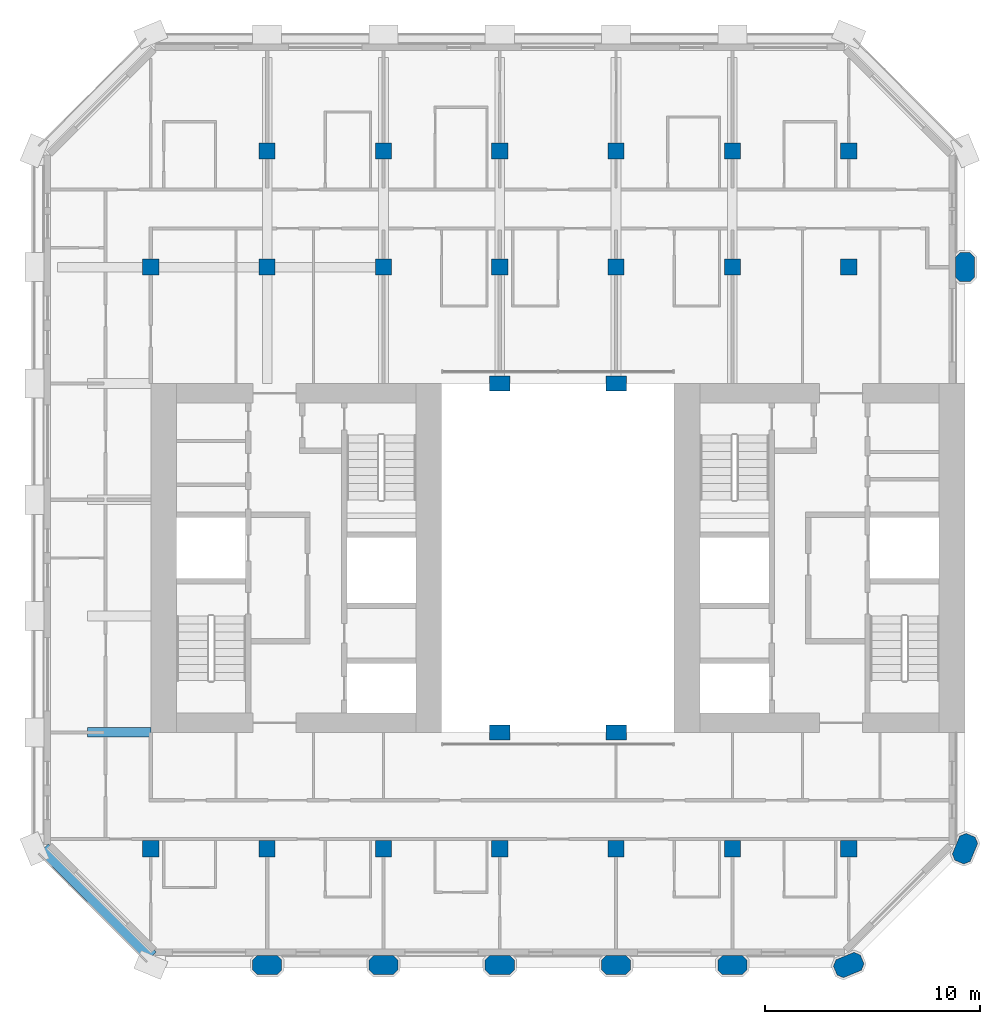
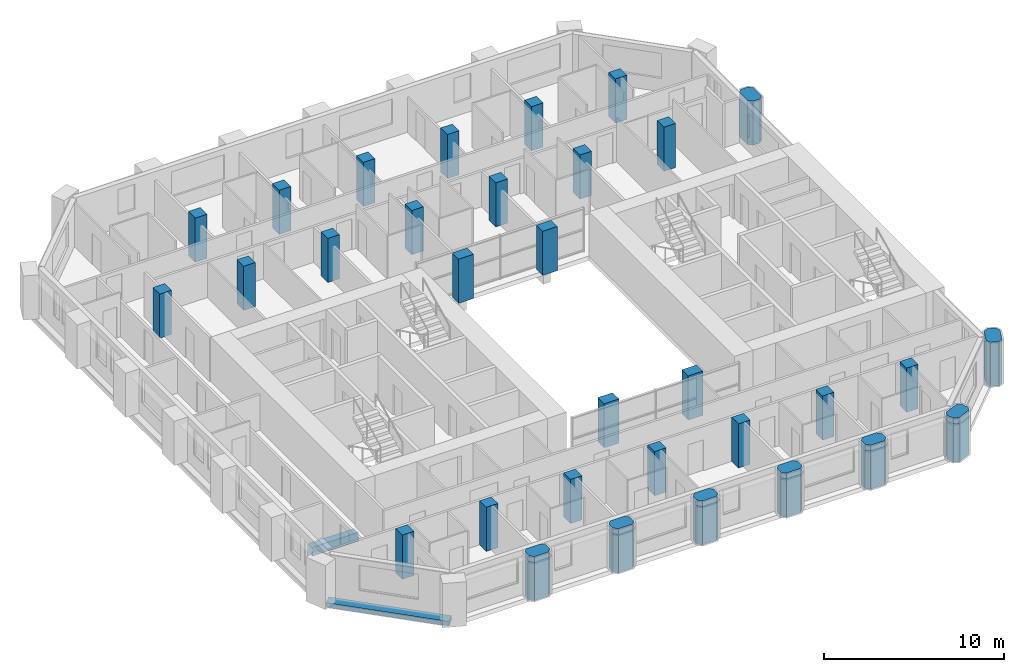
# One storey, part 1 of 13: 32 columns, 2 beams.
"""IFC4 building model written with IfcOpenShell, lengths in metres."""

from ifc_helpers import new_model, si_unit, direction, frame, origin, origin_2d, place, context, subcontext, project, spatial, polyline, rectangle, outline, extrude, material, material_profile, profile_set, type_object, element, save


model = new_model("IFC4")

# Units and contexts
model_context = context("Model", 3, precision=1e-05, world=origin(), true_north=direction((0.0, 1.0)))
body_context = subcontext(model_context, "Body", "Model", "MODEL_VIEW")
ifc_project = project(units=[si_unit("LENGTHUNIT", "METRE"), si_unit("AREAUNIT", "SQUARE_METRE"), si_unit("VOLUMEUNIT", "CUBIC_METRE"), si_unit("PLANEANGLEUNIT", "RADIAN"), si_unit("MASSUNIT", "GRAM", prefix="KILO")], contexts=[model_context])

# Site, building, storey
site_placement = place(None, origin())
site = spatial("IfcSite", under=ifc_project, at=site_placement, CompositionType="ELEMENT")
building_placement = place(site_placement, origin())
building = spatial("IfcBuilding", under=site, at=building_placement, Name="Tabaq Tower and Sports Hall", CompositionType="ELEMENT")
storey_placement = place(building_placement, frame((0.0, 0.0, 220.300048828125)))
storey = spatial("IfcBuildingStorey", under=building, at=storey_placement, Name="L55", CompositionType="ELEMENT", Elevation=220.300048828125)

# Columns
ifc_material_1 = material(Name="Concrete C50/60", Category="concrete")
ifc_material_profile_1 = material_profile(ifc_material_1, rectangle(XDim=0.949951171875, YDim=0.699951171875, at=origin_2d()), Name="ATRIUM COLUMN 950x700")
ifc_profile_set_1 = profile_set([ifc_material_profile_1], Name="Concrete C50/60")
column_type_1 = type_object("IfcColumnType", Name="RC COLUMN ATRIUM COLUMN 950x700 C50/60", PredefinedType="COLUMN", material=ifc_profile_set_1)
for number, where, z_axis, x_axis, name in (
    (1, (21.60009765625, 16.199951171875, 0.0), (0.0, 0.0, 1.0), (1.0, 0.0, 0.0), "Atrium Column 5/D L55"),
    (2, (27.0, 16.199951171875, 0.0), (0.0, 0.0, 1.0), (1.0, 0.0, 0.0), "Atrium Column 6/D L55"),
    (3, (21.60009765625, 32.39990234375, 0.0), (0.0, 0.0, 1.0), (1.0, 0.0, 0.0), "Atrium Column 5/G L55"),
    (4, (27.0, 32.39990234375, 0.0), (0.0, 0.0, 1.0), (1.0, 0.0, 0.0), "Atrium Column 6/G L55"),
):
    element("IfcColumn", number, at=place(storey_placement, frame(where, z_axis=z_axis, x_axis=x_axis)), inside=storey, type_object=column_type_1, Name=name, PredefinedType="COLUMN", context=body_context, shape_type="SweptSolid", body=[
        extrude(rectangle(XDim=0.949951171875, YDim=0.699951171875, at=origin_2d()), origin(), (0.0, 0.0, 1.0), 3.0),
    ])
ifc_material_2 = material(Name="Concrete C50/60", Category="concrete")
ifc_material_profile_2 = material_profile(ifc_material_2, rectangle(XDim=0.75, YDim=0.75, at=origin_2d()), Name="COLUMN 750x750")
ifc_profile_set_2 = profile_set([ifc_material_profile_2], Name="Concrete C50/60")
column_type_2 = type_object("IfcColumnType", Name="RC COLUMN COLUMN 750x750 C50/60", PredefinedType="COLUMN", material=ifc_profile_set_2)
for number, where, z_axis, x_axis, name in (
    (5, (5.39990234375, 10.800048828125, 0.0), (0.0, 0.0, 1.0), (1.0, 0.0, 0.0), "Column 2/C L55"),
    (6, (10.800048828125, 10.800048828125, 0.0), (0.0, 0.0, 1.0), (1.0, 0.0, 0.0), "Column 3/C L55"),
    (7, (16.199951171875, 10.800048828125, 0.0), (0.0, 0.0, 1.0), (1.0, 0.0, 0.0), "Column 4/C L55"),
    (8, (21.60009765625, 10.800048828125, 0.0), (0.0, 0.0, 1.0), (1.0, 0.0, 0.0), "Column 5/C L55"),
    (9, (27.0, 10.800048828125, 0.0), (0.0, 0.0, 1.0), (1.0, 0.0, 0.0), "Column 6/C L55"),
    (10, (32.39990234375, 10.800048828125, 0.0), (0.0, 0.0, 1.0), (1.0, 0.0, 0.0), "Column 7/C L55"),
    (11, (37.800048828125, 10.800048828125, 0.0), (0.0, 0.0, 1.0), (1.0, 0.0, 0.0), "Column 8/C L55"),
    (12, (5.39990234375, 37.800048828125, 0.0), (0.0, 0.0, 1.0), (1.0, 0.0, 0.0), "Column 2/H L55"),
    (13, (10.800048828125, 37.800048828125, 0.0), (0.0, 0.0, 1.0), (1.0, 0.0, 0.0), "Column 3/H L55"),
    (14, (16.199951171875, 37.800048828125, 0.0), (0.0, 0.0, 1.0), (1.0, 0.0, 0.0), "Column 4/H L55"),
    (15, (21.60009765625, 37.800048828125, 0.0), (0.0, 0.0, 1.0), (1.0, 0.0, 0.0), "Column 5/H L55"),
    (16, (27.0, 37.800048828125, 0.0), (0.0, 0.0, 1.0), (1.0, 0.0, 0.0), "Column 6/H L55"),
    (17, (32.39990234375, 37.800048828125, 0.0), (0.0, 0.0, 1.0), (1.0, 0.0, 0.0), "Column 7/H L55"),
    (18, (37.800048828125, 37.800048828125, 0.0), (0.0, 0.0, 1.0), (1.0, 0.0, 0.0), "Column 8/H L55"),
    (19, (10.800048828125, 43.199951171875, 0.0), (0.0, 0.0, 1.0), (1.0, 0.0, 0.0), "Column 3/I L55"),
    (20, (16.199951171875, 43.199951171875, 0.0), (0.0, 0.0, 1.0), (1.0, 0.0, 0.0), "Column 4/I L55"),
    (21, (21.60009765625, 43.199951171875, 0.0), (0.0, 0.0, 1.0), (1.0, 0.0, 0.0), "Column 5/I L55"),
    (22, (27.0, 43.199951171875, 0.0), (0.0, 0.0, 1.0), (1.0, 0.0, 0.0), "Column 6/I L55"),
    (23, (32.39990234375, 43.199951171875, 0.0), (0.0, 0.0, 1.0), (1.0, 0.0, 0.0), "Column 7/I L55"),
    (24, (37.800048828125, 43.199951171875, 0.0), (0.0, 0.0, 1.0), (1.0, 0.0, 0.0), "Column 8/I L55"),
):
    element("IfcColumn", number, at=place(storey_placement, frame(where, z_axis=z_axis, x_axis=x_axis)), inside=storey, type_object=column_type_2, Name=name, PredefinedType="COLUMN", context=body_context, shape_type="SweptSolid", body=[
        extrude(rectangle(XDim=0.75, YDim=0.75, at=origin_2d()), origin(), (0.0, 0.0, 1.0), 3.0),
    ])
ifc_material_3 = material(Name="Concrete C50/60", Category="concrete")
ifc_material_profile_3 = material_profile(ifc_material_3, outline(polyline([(-0.449951171875, -0.449951171875), (0.449951171875, -0.449951171875), (0.675048828125, -0.22509765625), (0.675048828125, 0.22509765625), (0.449951171875, 0.449951171875), (-0.449951171875, 0.449951171875), (-0.675048828125, 0.22509765625), (-0.675048828125, -0.22509765625), (-0.449951171875, -0.449951171875)])), Name="PIER 1350x900")
ifc_profile_set_3 = profile_set([ifc_material_profile_3], Name="Concrete C50/60")
column_type_3 = type_object("IfcColumnType", Name="RC COLUMN PIER 1350x900 C50/60", PredefinedType="COLUMN", material=ifc_profile_set_3)
for number, where, z_axis, x_axis, name in (
    (25, (10.800048828125, 5.39990234375, 0.0), (0.0, 0.0, 1.0), (1.0, 0.0, 0.0), "Pier 3/B L55"),
    (26, (16.199951171875, 5.39990234375, 0.0), (0.0, 0.0, 1.0), (1.0, 0.0, 0.0), "Pier 4/B L55"),
    (27, (21.60009765625, 5.39990234375, 0.0), (0.0, 0.0, 1.0), (1.0, 0.0, 0.0), "Pier 5/B L55"),
    (28, (27.0, 5.39990234375, 0.0), (0.0, 0.0, 1.0), (1.0, 0.0, 0.0), "Pier 6/B L55"),
    (29, (32.39990234375, 5.39990234375, 0.0), (0.0, 0.0, 1.0), (1.0, 0.0, 0.0), "Pier 7/B L55"),
    (30, (37.800048828125, 5.39990234375, 0.0), (0.0, 0.0, 1.0), (0.923879532511, 0.382683432365, 0.0), "Pier 8/B L55"),
    (31, (43.199951171875, 10.800048828125, 0.0), (0.0, 0.0, 1.0), (0.382683432365, 0.923879532511, 0.0), "Pier 9/C L55"),
    (32, (43.199951171875, 37.800048828125, 0.0), (0.0, 0.0, 1.0), (0.0, 1.0, 0.0), "Pier 9/H L55"),
):
    element("IfcColumn", number, at=place(storey_placement, frame(where, z_axis=z_axis, x_axis=x_axis)), inside=storey, type_object=column_type_3, Name=name, PredefinedType="COLUMN", context=body_context, shape_type="SweptSolid", body=[
        extrude(outline(polyline([(-0.449951171875, -0.449951171875), (0.449951171875, -0.449951171875), (0.675048828125, -0.22509765625), (0.675048828125, 0.22509765625), (0.449951171875, 0.449951171875), (-0.449951171875, 0.449951171875), (-0.675048828125, 0.22509765625), (-0.675048828125, -0.22509765625), (-0.449951171875, -0.449951171875)])), origin(), (0.0, 0.0, 1.0), 3.0),
    ])

# Beams
ifc_material_4 = material(Name="Concrete C40/50", Category="concrete")
ifc_material_profile_4 = material_profile(ifc_material_4, rectangle(XDim=0.449951171875, YDim=0.60009765625, at=origin_2d()), Name="CB 450x600")
ifc_profile_set_4 = profile_set([ifc_material_profile_4], Name="Concrete C40/50")
beam_type_1 = type_object("IfcBeamType", Name="PT CANTILEVER BEAM CB 450x600 C40/50", PredefinedType="BEAM", material=ifc_profile_set_4)
beam_1_placement = place(storey_placement, frame((2.449951171875, 16.199951171875, -0.60009765625), z_axis=(1.0, 0.0, 0.0), x_axis=(0.0, 1.0, 0.0)))
element("IfcBeam", 33, at=beam_1_placement, inside=storey, type_object=beam_type_1, Name="Cantilever Beam L55 W3 span 1", PredefinedType="BEAM", context=body_context, shape_type="SweptSolid", body=[
    extrude(rectangle(XDim=0.449951171875, YDim=0.60009765625, at=origin_2d()), origin(), (0.0, 0.0, 1.0), 2.949951171875),
])
ifc_material_5 = material(Name="Concrete C40/50", Category="concrete")
ifc_material_profile_5 = material_profile(ifc_material_5, rectangle(XDim=0.60009765625, YDim=0.300048828125, at=origin_2d()), Name="EB 600x300")
ifc_profile_set_5 = profile_set([ifc_material_profile_5], Name="Concrete C40/50")
beam_type_2 = type_object("IfcBeamType", Name="PT EDGE BEAM EB 600x300 C40/50", PredefinedType="SPANDREL", material=ifc_profile_set_5)
beam_2_placement = place(storey_placement, frame((0.42333984375, 10.801025390625, -0.150146484375), z_axis=(0.707089559252, -0.707124002701, 0.0), x_axis=(0.707124002701, 0.707089559252, 0.0)))
element("IfcBeam", 34, at=beam_2_placement, inside=storey, type_object=beam_type_2, Name="Edge Beam L55 5", PredefinedType="SPANDREL", context=body_context, shape_type="SweptSolid", body=[
    extrude(rectangle(XDim=0.60009765625, YDim=0.300048828125, at=origin_2d()), origin(), (0.0, 0.0, 1.0), 7.088134765625),
])

save(model, "model.ifc")
